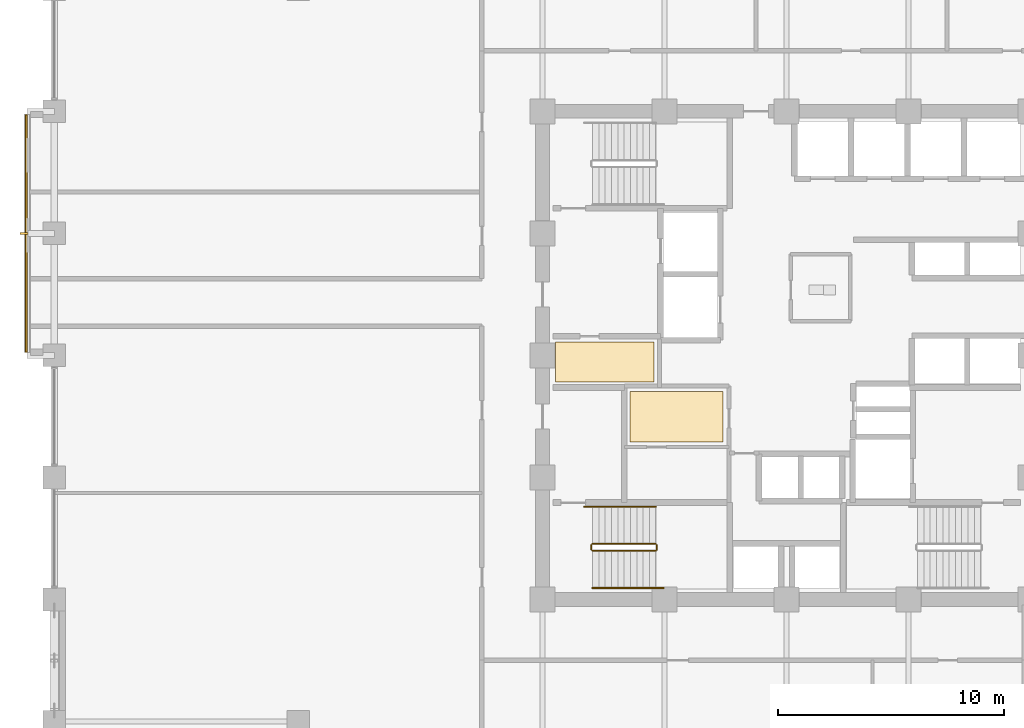
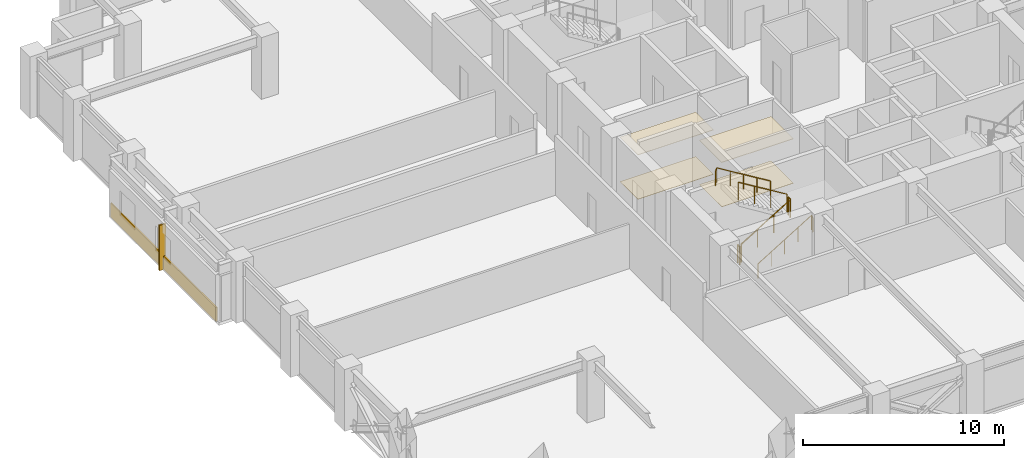
# One storey, part 23 of 26: 6 railings, 5 coverings, 1 shading device.
"""IFC4 building model written with IfcOpenShell, lengths in metres."""

from ifc_helpers import new_model, si_unit, direction, frame, origin, origin_2d, place, context, subcontext, project, spatial, polyline, rectangle, circle, outline, extrude, material, layer, layer_set, type_object, element, save


model = new_model("IFC4")

# Units and contexts
model_context = context("Model", 3, precision=1e-05, world=origin(), true_north=direction((0.0, 1.0)))
body_context = subcontext(model_context, "Body", "Model", "MODEL_VIEW")
ifc_project = project(units=[si_unit("LENGTHUNIT", "METRE"), si_unit("AREAUNIT", "SQUARE_METRE"), si_unit("VOLUMEUNIT", "CUBIC_METRE"), si_unit("PLANEANGLEUNIT", "RADIAN"), si_unit("MASSUNIT", "GRAM", prefix="KILO")], contexts=[model_context])

# Site, building, storey
site_placement = place(None, origin())
site = spatial("IfcSite", under=ifc_project, at=site_placement, CompositionType="ELEMENT")
building_placement = place(site_placement, origin())
building = spatial("IfcBuilding", under=site, at=building_placement, Name="Surkhivell Harbour Commons", CompositionType="ELEMENT")
storey_placement = place(building_placement, frame((0.0, 0.0, 147.0)))
storey = spatial("IfcBuildingStorey", under=building, at=storey_placement, Name="L38", CompositionType="ELEMENT", Elevation=147.0)

# Coverings
ifc_material_1 = material(Name="Perforated acoustic mineral-fibre ceiling tile", Category="other")
ifc_layer_1 = layer(ifc_material_1, 0.02490234375)
ifc_layer_set_1 = layer_set([ifc_layer_1], Name="Perforated acoustic mineral-fibre ceiling tile")
covering_type_1 = type_object("IfcCoveringType", Name="COV-CEIL-AC", PredefinedType="CEILING", material=ifc_layer_set_1)
covering_1_placement = place(storey_placement, frame((0.0, 0.0, 2.694091796875)))
element("IfcCovering", 1, at=covering_1_placement, inside=storey, type_object=covering_type_1, Name="L38 Suspended Acoustic Ceiling 1", PredefinedType="CEILING", context=body_context, shape_type="SweptSolid", body=[
    extrude(outline(polyline([(-10.219970703125, -1.179931640625), (-5.8701171875, -1.179931640625), (-5.8701171875, 0.60009765625), (-10.219970703125, 0.60009765625), (-10.219970703125, 0.580078125), (-10.219970703125, -0.580078125), (-10.219970703125, -1.179931640625)])), origin(), (0.0, 0.0, 1.0), 0.02490234375),
])
ifc_material_2 = material(Name="Moisture-resistant gypsum acoustic ceiling board", Category="other")
ifc_layer_2 = layer(ifc_material_2, 0.030029296875)
ifc_layer_set_2 = layer_set([ifc_layer_2], Name="Moisture-resistant gypsum acoustic ceiling board")
covering_type_2 = type_object("IfcCoveringType", Name="COV-CEIL-GYP", PredefinedType="CEILING", material=ifc_layer_set_2)
covering_2_placement = place(storey_placement, frame((0.0, 0.0, 2.68896484375)))
element("IfcCovering", 2, at=covering_2_placement, inside=storey, type_object=covering_type_2, Name="L38 Suspended Acoustic Ceiling 2", PredefinedType="CEILING", context=body_context, shape_type="SweptSolid", body=[
    extrude(outline(polyline([(-6.929931640625, -3.830078125), (-2.820068359375, -3.830078125), (-2.820068359375, -1.60009765625), (-6.929931640625, -1.60009765625), (-6.929931640625, -3.830078125)])), origin(), (0.0, 0.0, 1.0), 0.030029296875),
])
ifc_material_3 = material(Name="Saffron-gold enamelled aluminium cassette panel", Category="aluminium")
ifc_layer_3 = layer(ifc_material_3, 0.070068359375)
ifc_layer_set_3 = layer_set([ifc_layer_3], Name="Saffron-gold enamelled aluminium cassette panel")
covering_type_3 = type_object("IfcCoveringType", Name="COV-CLAD-SAF", PredefinedType="CLADDING", material=ifc_layer_set_3)
covering_3_placement = place(storey_placement, frame((-33.639892578125, 5.39990234375, 0.0), z_axis=(0.0, 0.0, 1.0), x_axis=(1.0, 0.0, 0.0)))
element("IfcCovering", 3, at=covering_3_placement, inside=storey, type_object=covering_type_3, Name="L38 Coloured-Panel Box Spandrel Cassette 02", PredefinedType="CLADDING", context=body_context, shape_type="SweptSolid", body=[
    extrude(rectangle(XDim=0.080078125, YDim=10.5, at=origin_2d()), origin(), (0.0, 0.0, 1.0), 0.840087890625),
])
ifc_material_4 = material(Name="Engineered acoustic oak timber flooring", Category="wood")
ifc_layer_4 = layer(ifc_material_4, 0.02001953125)
ifc_layer_set_4 = layer_set([ifc_layer_4], Name="Engineered acoustic oak timber flooring")
covering_type_4 = type_object("IfcCoveringType", Name="COV-FLR-TIM", PredefinedType="FLOORING", material=ifc_layer_set_4)
covering_4_placement = place(storey_placement, origin())
element("IfcCovering", 4, at=covering_4_placement, inside=storey, type_object=covering_type_4, Name="L38 Interior Floor Finish 1", PredefinedType="FLOORING", context=body_context, shape_type="SweptSolid", body=[
    extrude(outline(polyline([(-10.219970703125, -1.179931640625), (-5.8701171875, -1.179931640625), (-5.8701171875, 0.60009765625), (-10.219970703125, 0.60009765625), (-10.219970703125, 0.580078125), (-10.219970703125, -0.580078125), (-10.219970703125, -1.179931640625)])), origin(), (0.0, 0.0, 1.0), 0.02001953125),
])
covering_5_placement = place(storey_placement, origin())
element("IfcCovering", 5, at=covering_5_placement, inside=storey, type_object=covering_type_4, Name="L38 Interior Floor Finish 2", PredefinedType="FLOORING", context=body_context, shape_type="SweptSolid", body=[
    extrude(outline(polyline([(-6.929931640625, -3.830078125), (-2.820068359375, -3.830078125), (-2.820068359375, -1.60009765625), (-6.929931640625, -1.60009765625), (-6.929931640625, -3.830078125)])), origin(), (0.0, 0.0, 1.0), 0.02001953125),
])

# Railings
ifc_material_5 = material(Name="Galvanised and painted steel S355 guard rail", Category="steel")
railing_type_1 = type_object("IfcRailingType", Name="RAL-ST-GRD1100", PredefinedType="GUARDRAIL", material=ifc_material_5)
railing_1_placement = place(storey_placement, frame((-8.590087890625, -8.639892578125, 0.17041015625)))
element("IfcRailing", 6, at=railing_1_placement, inside=storey, type_object=railing_type_1, Name="L38 ST3 stair guard 1", PredefinedType="GUARDRAIL", context=body_context, shape_type="SweptSolid", body=[
    extrude(circle(Radius=0.02392578125, at=origin_2d()), frame((0.0, 0.0, 1.076171875), z_axis=(0.854169791009, 0.0, 0.51999420009), x_axis=(0.0, 1.0, 0.0)), (0.0, 0.0, 1.0), 3.278076171875),
    extrude(circle(Radius=0.02099609375, at=origin_2d()), origin(), (0.0, 0.0, 1.0), 1.052001953125),
    extrude(circle(Radius=0.02099609375, at=origin_2d()), frame((0.933349609375, 0.0, 0.568115234375)), (0.0, 0.0, 1.0), 1.052001953125),
    extrude(circle(Radius=0.02099609375, at=origin_2d()), frame((1.86669921875, 0.0, 1.136474609375)), (0.0, 0.0, 1.0), 1.052001953125),
    extrude(circle(Radius=0.02099609375, at=origin_2d()), frame((2.800048828125, 0.0, 1.70458984375)), (0.0, 0.0, 1.0), 1.052001953125),
])
railing_2_placement = place(storey_placement, frame((-5.739990234375, -8.590087890625, 1.875)))
element("IfcRailing", 7, at=railing_2_placement, inside=storey, type_object=railing_type_1, Name="L38 ST3 stair guard 2", PredefinedType="GUARDRAIL", context=body_context, shape_type="SweptSolid", body=[
    extrude(circle(Radius=0.02392578125, at=origin_2d()), frame((0.0, 0.0, 1.076171875), z_axis=(0.0, 1.0, 0.0), x_axis=(-1.0, 0.0, 0.0)), (0.0, 0.0, 1.0), 0.2001953125),
    extrude(circle(Radius=0.02099609375, at=origin_2d()), origin(), (0.0, 0.0, 1.0), 1.052001953125),
    extrude(circle(Radius=0.02099609375, at=origin_2d()), frame((0.0, 0.2001953125, 0.0)), (0.0, 0.0, 1.0), 1.052001953125),
])
railing_3_placement = place(storey_placement, frame((-5.7900390625, -8.340087890625, 2.04541015625)))
element("IfcRailing", 8, at=railing_3_placement, inside=storey, type_object=railing_type_1, Name="L38 ST3 stair guard 3", PredefinedType="GUARDRAIL", context=body_context, shape_type="SweptSolid", body=[
    extrude(circle(Radius=0.02392578125, at=origin_2d()), frame((0.0, 0.0, 1.076171875), z_axis=(-0.854169791009, 0.0, 0.51999420009), x_axis=(0.0, -1.0, 0.0)), (0.0, 0.0, 1.0), 3.278076171875),
    extrude(circle(Radius=0.02099609375, at=origin_2d()), origin(), (0.0, 0.0, 1.0), 1.052001953125),
    extrude(circle(Radius=0.02099609375, at=origin_2d()), frame((-0.933349609375, 0.0, 0.568115234375)), (0.0, 0.0, 1.0), 1.052001953125),
    extrude(circle(Radius=0.02099609375, at=origin_2d()), frame((-1.86669921875, 0.0, 1.136474609375)), (0.0, 0.0, 1.0), 1.052001953125),
    extrude(circle(Radius=0.02099609375, at=origin_2d()), frame((-2.800048828125, 0.0, 1.70458984375)), (0.0, 0.0, 1.0), 1.052001953125),
])
railing_4_placement = place(storey_placement, frame((-8.639892578125, -8.590087890625, 0.0)))
element("IfcRailing", 9, at=railing_4_placement, inside=storey, type_object=railing_type_1, Name="L38 ST3 stair guard 4", PredefinedType="GUARDRAIL", context=body_context, shape_type="SweptSolid", body=[
    extrude(circle(Radius=0.02392578125, at=origin_2d()), frame((0.0, 0.0, 1.076171875), z_axis=(0.0, 1.0, 0.0), x_axis=(-1.0, 0.0, 0.0)), (0.0, 0.0, 1.0), 0.2001953125),
    extrude(circle(Radius=0.02099609375, at=origin_2d()), origin(), (0.0, 0.0, 1.0), 1.052001953125),
    extrude(circle(Radius=0.02099609375, at=origin_2d()), frame((0.0, 0.2001953125, 0.0)), (0.0, 0.0, 1.0), 1.052001953125),
])
ifc_material_6 = material(Name="Brushed stainless steel S355 handrail", Category="steel")
railing_type_2 = type_object("IfcRailingType", Name="RAL-ST-HND900", PredefinedType="HANDRAIL", material=ifc_material_6)
railing_5_placement = place(storey_placement, frame((-8.590087890625, -10.2900390625, 0.17041015625)))
element("IfcRailing", 10, at=railing_5_placement, inside=storey, type_object=railing_type_2, Name="L38 ST3 stair handrail 1", PredefinedType="HANDRAIL", context=body_context, shape_type="SweptSolid", body=[
    extrude(circle(Radius=0.02392578125, at=origin_2d()), frame((0.0, 0.0, 0.8759765625), z_axis=(0.854177636135, 0.0, 0.519981313056), x_axis=(0.0, 1.0, 0.0)), (0.0, 0.0, 1.0), 3.60595703125),
    extrude(circle(Radius=0.02392578125, at=origin_2d()), frame((3.080078125, 0.0, 2.7509765625), z_axis=(0.425297416671, 0.0, -0.905053648892), x_axis=(0.0, 1.0, 0.0)), (0.0, 0.0, 1.0), 0.188232421875),
    extrude(circle(Radius=0.02099609375, at=origin_2d()), origin(), (0.0, 0.0, 1.0), 0.851806640625),
    extrude(circle(Radius=0.02099609375, at=origin_2d()), frame((0.77001953125, 0.0, 0.46875)), (0.0, 0.0, 1.0), 0.851806640625),
    extrude(circle(Radius=0.02099609375, at=origin_2d()), frame((1.5400390625, 0.0, 0.9375)), (0.0, 0.0, 1.0), 0.851806640625),
    extrude(circle(Radius=0.02099609375, at=origin_2d()), frame((2.31005859375, 0.0, 1.40625)), (0.0, 0.0, 1.0), 0.851806640625),
    extrude(circle(Radius=0.02099609375, at=origin_2d()), frame((3.080078125, 0.0, 1.875)), (0.0, 0.0, 1.0), 0.851806640625),
    extrude(circle(Radius=0.02099609375, at=origin_2d()), frame((3.16015625, 0.0, 1.70458984375)), (0.0, 0.0, 1.0), 0.851806640625),
])
railing_6_placement = place(storey_placement, frame((-5.7900390625, -6.68994140625, 2.04541015625)))
element("IfcRailing", 11, at=railing_6_placement, inside=storey, type_object=railing_type_2, Name="L38 ST3 stair handrail 2", PredefinedType="HANDRAIL", context=body_context, shape_type="SweptSolid", body=[
    extrude(circle(Radius=0.02392578125, at=origin_2d()), frame((0.0, 0.0, 0.8759765625), z_axis=(-0.854177636135, 0.0, 0.519981313056), x_axis=(0.0, -1.0, 0.0)), (0.0, 0.0, 1.0), 3.60595703125),
    extrude(circle(Radius=0.02392578125, at=origin_2d()), frame((-3.080078125, 0.0, 2.7509765625), z_axis=(-0.424234432967, 0.0, -0.905552398199), x_axis=(0.0, -1.0, 0.0)), (0.0, 0.0, 1.0), 0.188232421875),
    extrude(circle(Radius=0.02099609375, at=origin_2d()), origin(), (0.0, 0.0, 1.0), 0.851806640625),
    extrude(circle(Radius=0.02099609375, at=origin_2d()), frame((-0.77001953125, 0.0, 0.46875)), (0.0, 0.0, 1.0), 0.851806640625),
    extrude(circle(Radius=0.02099609375, at=origin_2d()), frame((-1.5400390625, 0.0, 0.9375)), (0.0, 0.0, 1.0), 0.851806640625),
    extrude(circle(Radius=0.02099609375, at=origin_2d()), frame((-2.31005859375, 0.0, 1.40625)), (0.0, 0.0, 1.0), 0.851806640625),
    extrude(circle(Radius=0.02099609375, at=origin_2d()), frame((-3.080078125, 0.0, 1.875)), (0.0, 0.0, 1.0), 0.851806640625),
    extrude(circle(Radius=0.02099609375, at=origin_2d()), frame((-3.159912109375, 0.0, 1.70458984375)), (0.0, 0.0, 1.0), 0.851806640625),
])

# Shading device
ifc_material_7 = material(Name="Anodised pale-metal aluminium solar fin", Category="aluminium")
shading_device_type = type_object("IfcShadingDeviceType", Name="SHD-FIN-VERT", PredefinedType="USERDEFINED", material=ifc_material_7)
shading_device_placement = place(storey_placement, frame((-33.739990234375, 5.39990234375, 0.0048828125), z_axis=(0.0, 0.0, 1.0), x_axis=(1.0, 0.0, 0.0)))
element("IfcShadingDevice", 12, at=shading_device_placement, inside=storey, type_object=shading_device_type, Name="L38 Coloured-Box Solar Fin 02", ObjectType="FIN", PredefinedType="USERDEFINED", context=body_context, shape_type="SweptSolid", body=[
    extrude(rectangle(XDim=0.360107421875, YDim=0.090087890625, at=origin_2d()), origin(), (0.0, 0.0, 1.0), 2.75),
])

save(model, "model.ifc")
